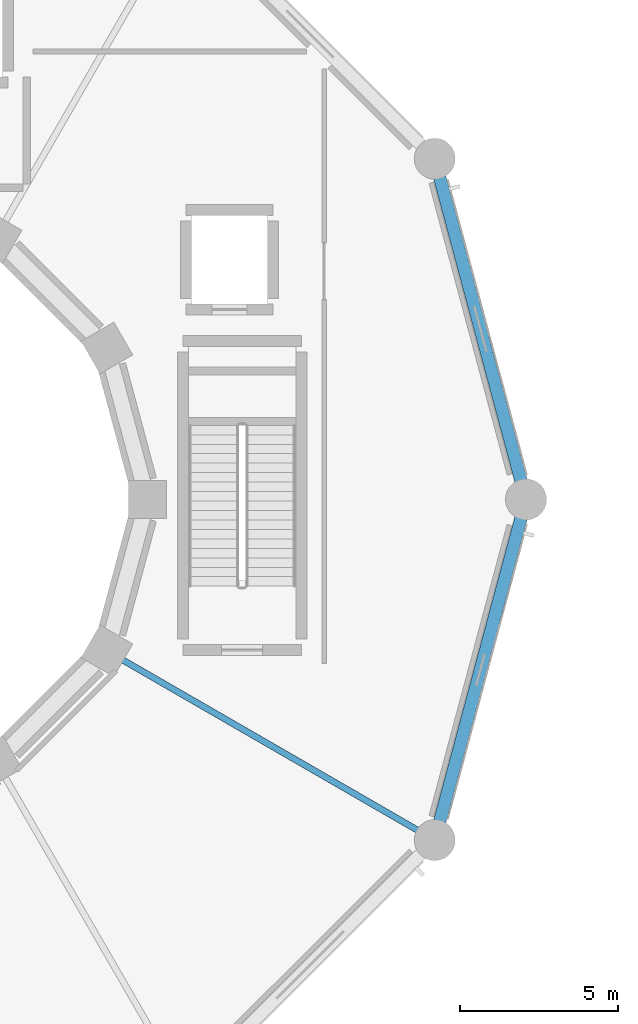
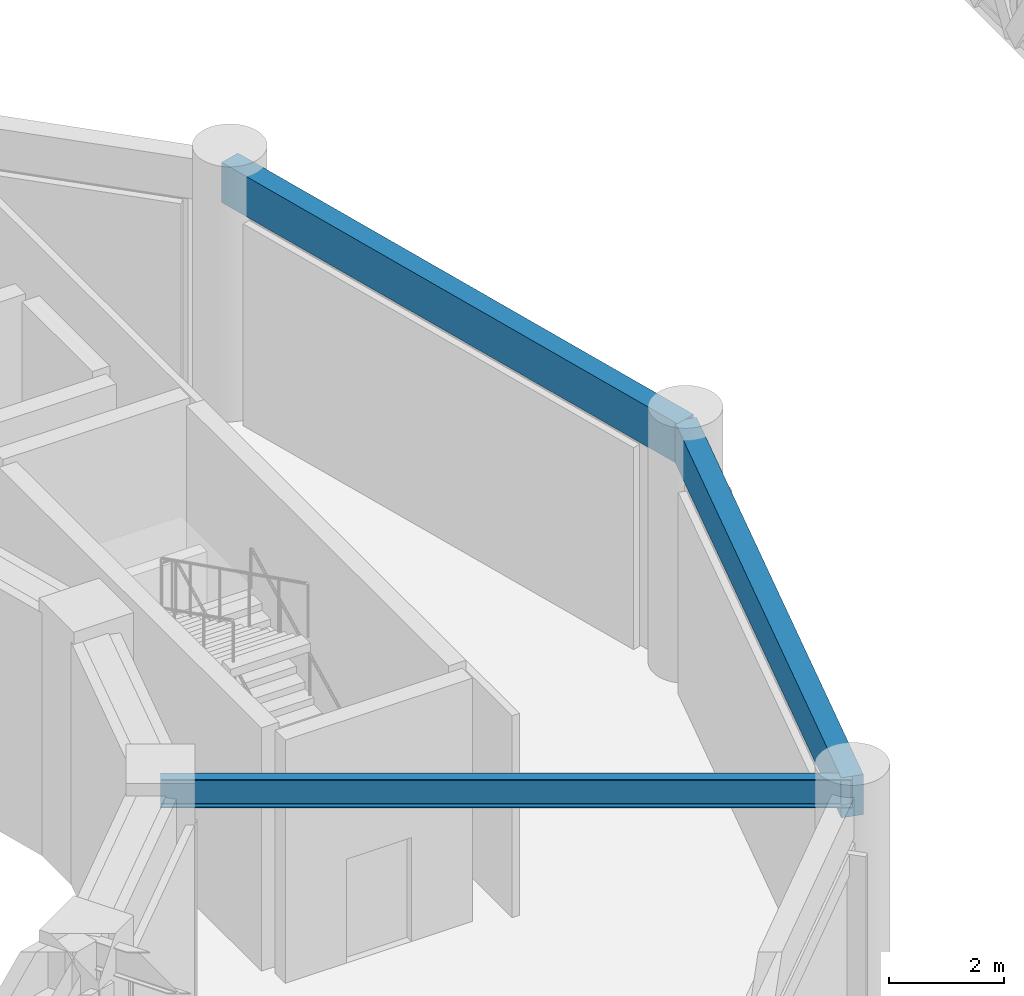
# One storey, part 53 of 166: 3 beams.
"""IFC4 building model written with IfcOpenShell, lengths in metres."""

import ifcopenshell
import ifcopenshell.guid

model = None  # the IFC model being written
_history = None  # IfcOwnerHistory: only IFC2X3 demands one
_inside = {}  # id of a spatial element -> (the spatial element, [elements in it])
_under = {}  # id of a project, library or spatial element -> (it, [spatial elements below it])
_declared = {}  # id of a project -> (the project, [libraries it declares])
_typed = {}  # id of a type object -> (the type object, [elements of that type])
_made_of = {}  # id of a material, layer set ... -> (it, [elements and type objects made of it])


def new_model(schema):
    """Start an empty IFC model of exactly this schema.

    Asked for "IFC4X3", IfcOpenShell would pick the latest addendum, in which some entities
    have other attributes; the version numbers below select the first issue.
    IFC2X3 requires an IfcOwnerHistory on every rooted entity: one is made here for all.
    """
    global model, _history
    if schema == "IFC4X3":
        model = ifcopenshell.file(schema_version=(4, 3, 0, 0))
    else:
        model = ifcopenshell.file(schema=schema)
    _inside.clear()
    _under.clear()
    _declared.clear()
    _typed.clear()
    _made_of.clear()
    _history = None
    if model.schema == "IFC2X3":
        org = make("IfcOrganization", Name="unknown")
        user = make(
            "IfcPersonAndOrganization",
            ThePerson=make("IfcPerson", FamilyName="unknown"),
            TheOrganization=org,
        )
        app = make(
            "IfcApplication",
            ApplicationDeveloper=org,
            Version="unknown",
            ApplicationFullName="unknown",
            ApplicationIdentifier="unknown",
        )
        _history = make(
            "IfcOwnerHistory",
            OwningUser=user,
            OwningApplication=app,
            ChangeAction="ADDED",
            CreationDate=0,
        )
    return model


def make(cls, **values):
    """One entity of the class cls with the attributes given. An attribute that is None is left unset."""
    return model.create_entity(
        cls, **{name: value for name, value in values.items() if value is not None}
    )


def rooted(cls, **values):
    """An entity with a GlobalId (a new one), such as an element, a storey or a relation."""
    return make(cls, GlobalId=ifcopenshell.guid.new(), OwnerHistory=_history, **values)


def si_unit(unit_type, name, prefix=None):
    """IfcSIUnit, for example si_unit("LENGTHUNIT", "METRE", prefix="MILLI")."""
    return make("IfcSIUnit", UnitType=unit_type, Prefix=prefix, Name=name)


def assignment(units):
    """IfcUnitAssignment: the units of a project."""
    return None if units is None else make("IfcUnitAssignment", Units=units)


def point(xyz):
    """IfcCartesianPoint."""
    return None if xyz is None else make("IfcCartesianPoint", Coordinates=xyz)


def direction(xyz):
    """IfcDirection."""
    return None if xyz is None else make("IfcDirection", DirectionRatios=xyz)


def frame(location, z_axis=None, x_axis=None):
    """IfcAxis2Placement3D, a coordinate frame: its origin and axes. An axis left out is left unset."""
    return make(
        "IfcAxis2Placement3D",
        Location=point(location),
        Axis=direction(z_axis),
        RefDirection=direction(x_axis),
    )


def frame_2d(location, x_axis=None):
    """IfcAxis2Placement2D, a coordinate frame in the plane: its origin and x axis."""
    return make(
        "IfcAxis2Placement2D", Location=point(location), RefDirection=direction(x_axis)
    )


def origin():
    """The frame at (0, 0, 0) with its axes left unset."""
    return frame((0.0, 0.0, 0.0))


def origin_2d():
    """The frame at (0, 0) in the plane with its x axis left unset."""
    return frame_2d((0.0, 0.0))


def place(relative_to, where):
    """IfcLocalPlacement: puts the frame where relative to a parent placement (None: the world)."""
    return make(
        "IfcLocalPlacement", PlacementRelTo=relative_to, RelativePlacement=where
    )


def context(
    kind, dimensions, precision=None, world=None, true_north=None, identifier=None
):
    """IfcGeometricRepresentationContext, for example the 3D "Model" context."""
    return make(
        "IfcGeometricRepresentationContext",
        ContextIdentifier=identifier,
        ContextType=kind,
        CoordinateSpaceDimension=dimensions,
        Precision=precision,
        WorldCoordinateSystem=world,
        TrueNorth=true_north,
    )


def subcontext(parent, identifier, kind, view, scale=None):
    """IfcGeometricRepresentationSubContext, for example "Body" below "Model"."""
    return make(
        "IfcGeometricRepresentationSubContext",
        ContextIdentifier=identifier,
        ContextType=kind,
        ParentContext=parent,
        TargetScale=scale,
        TargetView=view,
    )


def project(units=None, contexts=None):
    """IfcProject with its units and contexts."""
    return rooted(
        "IfcProject",
        Name="project",
        RepresentationContexts=contexts,
        UnitsInContext=assignment(units),
    )


def spatial(cls, under=None, at=None, **own):
    """A site, building, storey or space (cls), placed at a placement, below another one or the project."""
    s = rooted(cls, ObjectPlacement=at, **own)
    if under is not None:
        _under.setdefault(under.id(), (under, []))[1].append(s)
    return s


def profile(cls, at=None, kind="AREA", **sizes):
    """A parametric profile (cls). Its sizes go by their IFC names, for example OverallWidth=200.0."""
    return make(cls, ProfileType=kind, Position=at, **sizes)


def rectangle(**sizes):
    """IfcRectangleProfileDef."""
    return profile("IfcRectangleProfileDef", **sizes)


def i_section(**sizes):
    """IfcIShapeProfileDef."""
    return profile("IfcIShapeProfileDef", **sizes)


def extrude(swept, where, along, depth):
    """IfcExtrudedAreaSolid: the profile swept, set in the frame where, extruded along a direction by depth."""
    return make(
        "IfcExtrudedAreaSolid",
        SweptArea=swept,
        Position=where,
        ExtrudedDirection=direction(along),
        Depth=depth,
    )


def shape(context_of_items, identifier, shape_type, items):
    """IfcShapeRepresentation: the items that make up one representation, for example the "Body"."""
    return make(
        "IfcShapeRepresentation",
        ContextOfItems=context_of_items,
        RepresentationIdentifier=identifier,
        RepresentationType=shape_type,
        Items=items,
    )


def material(Name=None, Category=None):
    """IfcMaterial."""
    return make("IfcMaterial", Name=Name, Category=Category)


def material_profile(
    of_material, cross_section, Name=None, Category=None, Priority=None
):
    """IfcMaterialProfile: a cross section and its material."""
    return make(
        "IfcMaterialProfile",
        Name=Name,
        Material=of_material,
        Profile=cross_section,
        Priority=Priority,
        Category=Category,
    )


def profile_set(profiles, Name=None, composite=None):
    """IfcMaterialProfileSet."""
    return make(
        "IfcMaterialProfileSet",
        Name=Name,
        MaterialProfiles=profiles,
        CompositeProfile=composite,
    )


def made_of(thing, what):
    """Note that an element or type object is made of a material, layer set ...; save() writes the relation."""
    if what is not None:
        _made_of.setdefault(what.id(), (what, []))[1].append(thing)
    return thing


def type_object(cls, material=None, **own):
    """A type object (cls), such as IfcWallType, which elements share."""
    return made_of(rooted(cls, **own), material)


def element(
    cls,
    number,
    at=None,
    inside=None,
    cuts=None,
    type_object=None,
    material=None,
    context=None,
    identifier="Body",
    shape_type=None,
    held_by="IfcProductDefinitionShape",
    body=None,
    shapes=None,
    **own,
):
    """One element of the class cls, such as IfcWall. Its Tag is "e" and its number.

    at: its placement. inside: the storey or other place that contains it. cuts: it is an
    opening in that element (IfcRelVoidsElement). A single representation is given by context,
    identifier, shape_type and body (its items); several are given by shapes. held_by: the class
    of the entity that holds the representations. save() writes the other relations.
    """
    e = rooted(cls, Tag="e%d" % number, ObjectPlacement=at, **own)
    if body is not None:
        shapes = [shape(context, identifier, shape_type, body)]
    if shapes is not None:
        e.Representation = make(held_by, Representations=shapes)
    if inside is not None:
        _inside.setdefault(inside.id(), (inside, []))[1].append(e)
    if cuts is not None:
        rooted(
            "IfcRelVoidsElement", RelatingBuildingElement=cuts, RelatedOpeningElement=e
        )
    if type_object is not None:
        _typed.setdefault(type_object.id(), (type_object, []))[1].append(e)
    return made_of(e, material)


def aggregate(whole, parts):
    """IfcRelAggregates: a whole, such as a stair, and the parts it consists of."""
    return rooted("IfcRelAggregates", RelatingObject=whole, RelatedObjects=parts)


def save(model, path):
    """Write the relations noted so far, then the file.

    IfcRelAggregates (storeys below a building ...), IfcRelContainedInSpatialStructure (elements
    in a storey), IfcRelDefinesByType, IfcRelAssociatesMaterial and IfcRelDeclares: one each for
    every whole, place, type object, material and project.
    """
    for whole, parts in _under.values():
        aggregate(whole, parts)
    for where, things in _inside.values():
        rooted(
            "IfcRelContainedInSpatialStructure",
            RelatedElements=things,
            RelatingStructure=where,
        )
    for kind, things in _typed.values():
        rooted("IfcRelDefinesByType", RelatedObjects=things, RelatingType=kind)
    for what, things in _made_of.values():
        rooted("IfcRelAssociatesMaterial", RelatedObjects=things, RelatingMaterial=what)
    for by, libraries in _declared.values():
        rooted("IfcRelDeclares", RelatingContext=by, RelatedDefinitions=libraries)
    model.write(path)


model = new_model("IFC4")

# Units and contexts
model_context = context("Model", 3, precision=1e-05, world=origin(), true_north=direction((0.0, 1.0)))
body_context = subcontext(model_context, "Body", "Model", "MODEL_VIEW")
ifc_project = project(units=[si_unit("LENGTHUNIT", "METRE"), si_unit("AREAUNIT", "SQUARE_METRE"), si_unit("VOLUMEUNIT", "CUBIC_METRE"), si_unit("PLANEANGLEUNIT", "RADIAN"), si_unit("MASSUNIT", "GRAM", prefix="KILO")], contexts=[model_context])

# Site, building, storey
site_placement = place(None, origin())
site = spatial("IfcSite", under=ifc_project, at=site_placement, CompositionType="ELEMENT")
building_placement = place(site_placement, origin())
building = spatial("IfcBuilding", under=site, at=building_placement, Name="Haizhuo Lancet Aquarium", CompositionType="ELEMENT")
storey_placement = place(building_placement, frame((0.0, 0.0, 5.39990234375)))
storey = spatial("IfcBuildingStorey", under=building, at=storey_placement, Name="L01", CompositionType="ELEMENT", Elevation=5.39990234375)

# Beams
ifc_material_1 = material(Name="Steel S355", Category="steel")
ifc_material_profile_1 = material_profile(ifc_material_1, i_section(OverallWidth=0.199951171875, OverallDepth=0.60009765625, WebThickness=0.010986328125, FlangeThickness=0.01708984375, FilletRadius=0.02197265625, at=origin_2d()), Name="HN 600x200x11x17")
ifc_profile_set_1 = profile_set([ifc_material_profile_1], Name="Steel S355")
beam_type_1 = type_object("IfcBeamType", Name="BM-ST-HN600", PredefinedType="BEAM", material=ifc_profile_set_1)
beam_placement = place(storey_placement, frame((8.31396484375, -4.800048828125, 4.840087890625), z_axis=(0.866020924479, -0.500007758305, 0.0), x_axis=(0.500007758305, 0.866020924479, 0.0)))
element("IfcBeam", 1, at=beam_placement, inside=storey, type_object=beam_type_1, Name="L01 radial gallery girder 12", PredefinedType="BEAM", context=body_context, shape_type="SweptSolid", body=[
    extrude(i_section(OverallWidth=0.199951171875, OverallDepth=0.60009765625, WebThickness=0.010986328125, FlangeThickness=0.01708984375, FilletRadius=0.02197265625, at=origin_2d()), origin(), (0.0, 0.0, 1.0), 11.999755859375),
])
ifc_material_2 = material(Name="Concrete C40/50", Category="concrete")
ifc_material_profile_2 = material_profile(ifc_material_2, rectangle(XDim=0.39990234375, YDim=0.85009765625, at=origin_2d()), Name="RC-SP 400x850")
ifc_profile_set_2 = profile_set([ifc_material_profile_2], Name="Concrete C40/50")
beam_type_2 = type_object("IfcBeamType", Name="SPN-RC-400x850", PredefinedType="SPANDREL", material=ifc_profile_set_2)
for number, where, z_axis, x_axis, name in (
    (2, (21.60009765625, 0.0, 4.715087890625), (-0.258833949056, 0.965921832664, 0.0), (-0.965921832664, -0.258833949056, 0.0), "L01 drum perimeter spandrel 1"),
    (3, (18.7060546875, -10.800048828125, 4.715087890625), (0.258833949056, 0.965921832664, 0.0), (-0.965921832664, 0.258833949056, 0.0), "L01 drum perimeter spandrel 12"),
):
    element("IfcBeam", number, at=place(storey_placement, frame(where, z_axis=z_axis, x_axis=x_axis)), inside=storey, type_object=beam_type_2, Name=name, PredefinedType="SPANDREL", context=body_context, shape_type="SweptSolid", body=[
        extrude(rectangle(XDim=0.39990234375, YDim=0.85009765625, at=origin_2d()), origin(), (0.0, 0.0, 1.0), 11.18115234375),
    ])

save(model, "model.ifc")
